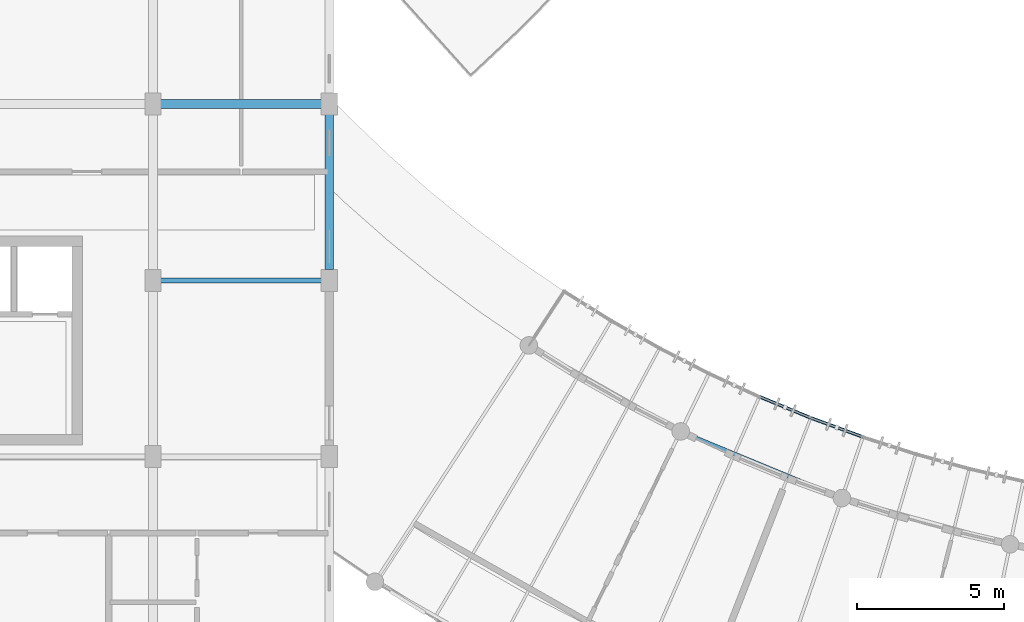
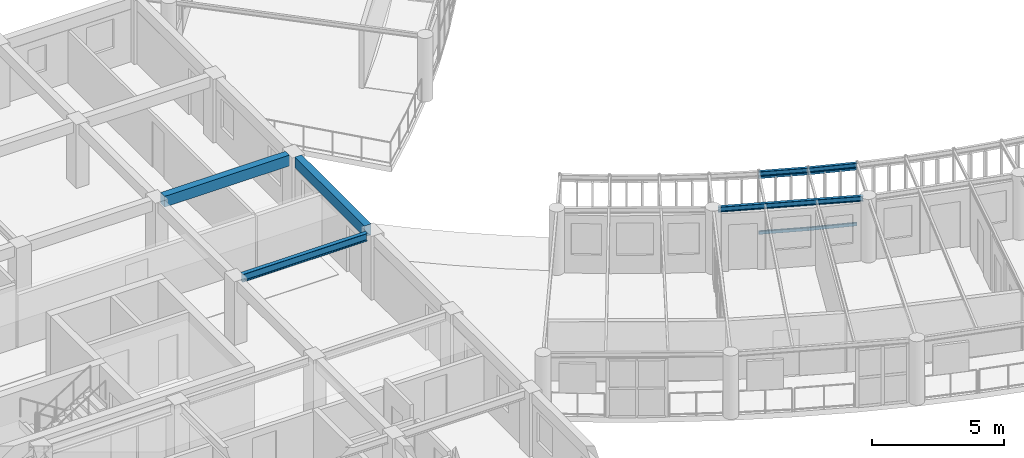
# One storey, part 8 of 100: 6 beams, 4 members.
"""IFC4 building model written with IfcOpenShell, lengths in metres."""

import ifcopenshell
import ifcopenshell.guid

model = None  # the IFC model being written
_history = None  # IfcOwnerHistory: only IFC2X3 demands one
_inside = {}  # id of a spatial element -> (the spatial element, [elements in it])
_under = {}  # id of a project, library or spatial element -> (it, [spatial elements below it])
_declared = {}  # id of a project -> (the project, [libraries it declares])
_typed = {}  # id of a type object -> (the type object, [elements of that type])
_made_of = {}  # id of a material, layer set ... -> (it, [elements and type objects made of it])


def new_model(schema):
    """Start an empty IFC model of exactly this schema.

    Asked for "IFC4X3", IfcOpenShell would pick the latest addendum, in which some entities
    have other attributes; the version numbers below select the first issue.
    IFC2X3 requires an IfcOwnerHistory on every rooted entity: one is made here for all.
    """
    global model, _history
    if schema == "IFC4X3":
        model = ifcopenshell.file(schema_version=(4, 3, 0, 0))
    else:
        model = ifcopenshell.file(schema=schema)
    _inside.clear()
    _under.clear()
    _declared.clear()
    _typed.clear()
    _made_of.clear()
    _history = None
    if model.schema == "IFC2X3":
        org = make("IfcOrganization", Name="unknown")
        user = make(
            "IfcPersonAndOrganization",
            ThePerson=make("IfcPerson", FamilyName="unknown"),
            TheOrganization=org,
        )
        app = make(
            "IfcApplication",
            ApplicationDeveloper=org,
            Version="unknown",
            ApplicationFullName="unknown",
            ApplicationIdentifier="unknown",
        )
        _history = make(
            "IfcOwnerHistory",
            OwningUser=user,
            OwningApplication=app,
            ChangeAction="ADDED",
            CreationDate=0,
        )
    return model


def make(cls, **values):
    """One entity of the class cls with the attributes given. An attribute that is None is left unset."""
    return model.create_entity(
        cls, **{name: value for name, value in values.items() if value is not None}
    )


def rooted(cls, **values):
    """An entity with a GlobalId (a new one), such as an element, a storey or a relation."""
    return make(cls, GlobalId=ifcopenshell.guid.new(), OwnerHistory=_history, **values)


def si_unit(unit_type, name, prefix=None):
    """IfcSIUnit, for example si_unit("LENGTHUNIT", "METRE", prefix="MILLI")."""
    return make("IfcSIUnit", UnitType=unit_type, Prefix=prefix, Name=name)


def assignment(units):
    """IfcUnitAssignment: the units of a project."""
    return None if units is None else make("IfcUnitAssignment", Units=units)


def point(xyz):
    """IfcCartesianPoint."""
    return None if xyz is None else make("IfcCartesianPoint", Coordinates=xyz)


def direction(xyz):
    """IfcDirection."""
    return None if xyz is None else make("IfcDirection", DirectionRatios=xyz)


def frame(location, z_axis=None, x_axis=None):
    """IfcAxis2Placement3D, a coordinate frame: its origin and axes. An axis left out is left unset."""
    return make(
        "IfcAxis2Placement3D",
        Location=point(location),
        Axis=direction(z_axis),
        RefDirection=direction(x_axis),
    )


def frame_2d(location, x_axis=None):
    """IfcAxis2Placement2D, a coordinate frame in the plane: its origin and x axis."""
    return make(
        "IfcAxis2Placement2D", Location=point(location), RefDirection=direction(x_axis)
    )


def origin():
    """The frame at (0, 0, 0) with its axes left unset."""
    return frame((0.0, 0.0, 0.0))


def origin_2d():
    """The frame at (0, 0) in the plane with its x axis left unset."""
    return frame_2d((0.0, 0.0))


def place(relative_to, where):
    """IfcLocalPlacement: puts the frame where relative to a parent placement (None: the world)."""
    return make(
        "IfcLocalPlacement", PlacementRelTo=relative_to, RelativePlacement=where
    )


def context(
    kind, dimensions, precision=None, world=None, true_north=None, identifier=None
):
    """IfcGeometricRepresentationContext, for example the 3D "Model" context."""
    return make(
        "IfcGeometricRepresentationContext",
        ContextIdentifier=identifier,
        ContextType=kind,
        CoordinateSpaceDimension=dimensions,
        Precision=precision,
        WorldCoordinateSystem=world,
        TrueNorth=true_north,
    )


def subcontext(parent, identifier, kind, view, scale=None):
    """IfcGeometricRepresentationSubContext, for example "Body" below "Model"."""
    return make(
        "IfcGeometricRepresentationSubContext",
        ContextIdentifier=identifier,
        ContextType=kind,
        ParentContext=parent,
        TargetScale=scale,
        TargetView=view,
    )


def project(units=None, contexts=None):
    """IfcProject with its units and contexts."""
    return rooted(
        "IfcProject",
        Name="project",
        RepresentationContexts=contexts,
        UnitsInContext=assignment(units),
    )


def spatial(cls, under=None, at=None, **own):
    """A site, building, storey or space (cls), placed at a placement, below another one or the project."""
    s = rooted(cls, ObjectPlacement=at, **own)
    if under is not None:
        _under.setdefault(under.id(), (under, []))[1].append(s)
    return s


def profile(cls, at=None, kind="AREA", **sizes):
    """A parametric profile (cls). Its sizes go by their IFC names, for example OverallWidth=200.0."""
    return make(cls, ProfileType=kind, Position=at, **sizes)


def rectangle(**sizes):
    """IfcRectangleProfileDef."""
    return profile("IfcRectangleProfileDef", **sizes)


def hollow_rectangle(**sizes):
    """IfcRectangleHollowProfileDef."""
    return profile("IfcRectangleHollowProfileDef", **sizes)


def i_section(**sizes):
    """IfcIShapeProfileDef."""
    return profile("IfcIShapeProfileDef", **sizes)


def extrude(swept, where, along, depth):
    """IfcExtrudedAreaSolid: the profile swept, set in the frame where, extruded along a direction by depth."""
    return make(
        "IfcExtrudedAreaSolid",
        SweptArea=swept,
        Position=where,
        ExtrudedDirection=direction(along),
        Depth=depth,
    )


def shape(context_of_items, identifier, shape_type, items):
    """IfcShapeRepresentation: the items that make up one representation, for example the "Body"."""
    return make(
        "IfcShapeRepresentation",
        ContextOfItems=context_of_items,
        RepresentationIdentifier=identifier,
        RepresentationType=shape_type,
        Items=items,
    )


def material(Name=None, Category=None):
    """IfcMaterial."""
    return make("IfcMaterial", Name=Name, Category=Category)


def material_profile(
    of_material, cross_section, Name=None, Category=None, Priority=None
):
    """IfcMaterialProfile: a cross section and its material."""
    return make(
        "IfcMaterialProfile",
        Name=Name,
        Material=of_material,
        Profile=cross_section,
        Priority=Priority,
        Category=Category,
    )


def profile_set(profiles, Name=None, composite=None):
    """IfcMaterialProfileSet."""
    return make(
        "IfcMaterialProfileSet",
        Name=Name,
        MaterialProfiles=profiles,
        CompositeProfile=composite,
    )


def made_of(thing, what):
    """Note that an element or type object is made of a material, layer set ...; save() writes the relation."""
    if what is not None:
        _made_of.setdefault(what.id(), (what, []))[1].append(thing)
    return thing


def type_object(cls, material=None, **own):
    """A type object (cls), such as IfcWallType, which elements share."""
    return made_of(rooted(cls, **own), material)


def element(
    cls,
    number,
    at=None,
    inside=None,
    cuts=None,
    type_object=None,
    material=None,
    context=None,
    identifier="Body",
    shape_type=None,
    held_by="IfcProductDefinitionShape",
    body=None,
    shapes=None,
    **own,
):
    """One element of the class cls, such as IfcWall. Its Tag is "e" and its number.

    at: its placement. inside: the storey or other place that contains it. cuts: it is an
    opening in that element (IfcRelVoidsElement). A single representation is given by context,
    identifier, shape_type and body (its items); several are given by shapes. held_by: the class
    of the entity that holds the representations. save() writes the other relations.
    """
    e = rooted(cls, Tag="e%d" % number, ObjectPlacement=at, **own)
    if body is not None:
        shapes = [shape(context, identifier, shape_type, body)]
    if shapes is not None:
        e.Representation = make(held_by, Representations=shapes)
    if inside is not None:
        _inside.setdefault(inside.id(), (inside, []))[1].append(e)
    if cuts is not None:
        rooted(
            "IfcRelVoidsElement", RelatingBuildingElement=cuts, RelatedOpeningElement=e
        )
    if type_object is not None:
        _typed.setdefault(type_object.id(), (type_object, []))[1].append(e)
    return made_of(e, material)


def aggregate(whole, parts):
    """IfcRelAggregates: a whole, such as a stair, and the parts it consists of."""
    return rooted("IfcRelAggregates", RelatingObject=whole, RelatedObjects=parts)


def save(model, path):
    """Write the relations noted so far, then the file.

    IfcRelAggregates (storeys below a building ...), IfcRelContainedInSpatialStructure (elements
    in a storey), IfcRelDefinesByType, IfcRelAssociatesMaterial and IfcRelDeclares: one each for
    every whole, place, type object, material and project.
    """
    for whole, parts in _under.values():
        aggregate(whole, parts)
    for where, things in _inside.values():
        rooted(
            "IfcRelContainedInSpatialStructure",
            RelatedElements=things,
            RelatingStructure=where,
        )
    for kind, things in _typed.values():
        rooted("IfcRelDefinesByType", RelatedObjects=things, RelatingType=kind)
    for what, things in _made_of.values():
        rooted("IfcRelAssociatesMaterial", RelatedObjects=things, RelatingMaterial=what)
    for by, libraries in _declared.values():
        rooted("IfcRelDeclares", RelatingContext=by, RelatedDefinitions=libraries)
    model.write(path)


model = new_model("IFC4")

# Units and contexts
model_context = context("Model", 3, precision=1e-05, world=origin(), true_north=direction((0.0, 1.0)))
body_context = subcontext(model_context, "Body", "Model", "MODEL_VIEW")
ifc_project = project(units=[si_unit("LENGTHUNIT", "METRE"), si_unit("AREAUNIT", "SQUARE_METRE"), si_unit("VOLUMEUNIT", "CUBIC_METRE"), si_unit("PLANEANGLEUNIT", "RADIAN"), si_unit("MASSUNIT", "GRAM", prefix="KILO"), si_unit("POWERUNIT", "WATT"), si_unit("THERMODYNAMICTEMPERATUREUNIT", "KELVIN")], contexts=[model_context])

# Site, building, storey
site_placement = place(None, origin())
site = spatial("IfcSite", under=ifc_project, at=site_placement, CompositionType="ELEMENT")
building_placement = place(site_placement, origin())
building = spatial("IfcBuilding", under=site, at=building_placement, Name="Ruvembo Vaulted Housing Court", CompositionType="ELEMENT")
storey_placement = place(building_placement, frame((0.0, 0.0, 14.10009765625)))
storey = spatial("IfcBuildingStorey", under=building, at=storey_placement, Name="L04", CompositionType="ELEMENT", Elevation=14.10009765625)

# Beams
ifc_material_1 = material(Name="Steel S355J2", Category="steel")
ifc_material_profile_1 = material_profile(ifc_material_1, i_section(OverallWidth=0.110107421875, OverallDepth=0.219970703125, WebThickness=0.005859375, FlangeThickness=0.00927734375, FilletRadius=0.011962890625, at=origin_2d()), Name="IPE 220")
ifc_profile_set_1 = profile_set([ifc_material_profile_1], Name="Steel S355J2")
beam_type_1 = type_object("IfcBeamType", Name="BM-ST-IPE220", PredefinedType="SPANDREL", material=ifc_profile_set_1)
beam_1_placement = place(storey_placement, frame((50.637451171875, 20.042236328125, 2.829833984375), z_axis=(0.924155321549, -0.38201693896, 0.0), x_axis=(0.38201693896, 0.924155321549, 0.0)))
element("IfcBeam", 1, at=beam_1_placement, inside=storey, type_object=beam_type_1, Name="Scoop SC2 L04 Balcony Edge Spandrel 4", PredefinedType="SPANDREL", context=body_context, shape_type="SweptSolid", body=[
    extrude(i_section(OverallWidth=0.110107421875, OverallDepth=0.219970703125, WebThickness=0.005859375, FlangeThickness=0.00927734375, FilletRadius=0.011962890625, at=origin_2d()), origin(), (0.0, 0.0, 1.0), 1.88916015625),
])
beam_2_placement = place(storey_placement, frame((52.38330078125, 19.320556640625, 2.829833984375), z_axis=(0.939165556371, -0.343464783824, 0.0), x_axis=(0.343464783824, 0.939165556371, 0.0)))
element("IfcBeam", 2, at=beam_2_placement, inside=storey, type_object=beam_type_1, Name="Scoop SC2 L04 Balcony Edge Spandrel 5", PredefinedType="SPANDREL", context=body_context, shape_type="SweptSolid", body=[
    extrude(i_section(OverallWidth=0.110107421875, OverallDepth=0.219970703125, WebThickness=0.005859375, FlangeThickness=0.00927734375, FilletRadius=0.011962890625, at=origin_2d()), origin(), (0.0, 0.0, 1.0), 1.889404296875),
])
ifc_material_profile_2 = material_profile(ifc_material_1, i_section(OverallWidth=0.1201171875, OverallDepth=0.239990234375, WebThickness=0.006103515625, FlangeThickness=0.009765625, FilletRadius=0.014892578125, at=origin_2d()), Name="IPE 240")
ifc_profile_set_2 = profile_set([ifc_material_profile_2], Name="Steel S355J2")
beam_type_2 = type_object("IfcBeamType", Name="BM-ST-IPE240", PredefinedType="BEAM", material=ifc_profile_set_2)
beam_3_placement = place(storey_placement, frame((48.1337890625, 18.785400390625, 2.822021484375), z_axis=(0.924189626462, -0.381933939759, 0.0), x_axis=(0.381933939759, 0.924189626462, 0.0)))
element("IfcBeam", 3, at=beam_3_placement, inside=storey, type_object=beam_type_2, Name="Scoop SC2 L04 Chord Girder F3", PredefinedType="BEAM", context=body_context, shape_type="SweptSolid", body=[
    extrude(i_section(OverallWidth=0.1201171875, OverallDepth=0.239990234375, WebThickness=0.006103515625, FlangeThickness=0.009765625, FilletRadius=0.014892578125, at=origin_2d()), origin(), (0.0, 0.0, 1.0), 5.556640625),
])
ifc_material_profile_3 = material_profile(ifc_material_1, i_section(OverallWidth=0.169921875, OverallDepth=0.360107421875, WebThickness=0.008056640625, FlangeThickness=0.0126953125, FilletRadius=0.01806640625, at=origin_2d()), Name="IPE 360")
ifc_profile_set_3 = profile_set([ifc_material_profile_3], Name="Steel S355J2")
beam_type_3 = type_object("IfcBeamType", Name="BM-ST-IPE360", PredefinedType="BEAM", material=ifc_profile_set_3)
beam_4_placement = place(storey_placement, frame((30.260009765625, 24.0, 2.745849609375), z_axis=(1.0, 0.0, 0.0), x_axis=(0.0, 1.0, 0.0)))
element("IfcBeam", 4, at=beam_4_placement, inside=storey, type_object=beam_type_3, Name="L04 Grid Beam X #2034", PredefinedType="BEAM", context=body_context, shape_type="SweptSolid", body=[
    extrude(i_section(OverallWidth=0.169921875, OverallDepth=0.360107421875, WebThickness=0.008056640625, FlangeThickness=0.0126953125, FilletRadius=0.01806640625, at=origin_2d()), origin(), (0.0, 0.0, 1.0), 5.47998046875),
])

# Members
ifc_material_profile_4 = material_profile(ifc_material_1, hollow_rectangle(XDim=0.06005859375, YDim=0.1201171875, WallThickness=0.0048828125, InnerFilletRadius=0.0048828125, OuterFilletRadius=0.010009765625, at=origin_2d()), Name="RHS 120x60x5")
ifc_profile_set_4 = profile_set([ifc_material_profile_4], Name="Steel S355J2")
member_type_1 = type_object("IfcMemberType", Name="MEM-CAR-RHS120", PredefinedType="CHORD", material=ifc_profile_set_4)
member_1_placement = place(storey_placement, frame((50.637451171875, 20.042236328125, 2.662841796875), z_axis=(0.924155321549, -0.38201693896, 0.0), x_axis=(0.38201693896, 0.924155321549, 0.0)))
element("IfcMember", 5, at=member_1_placement, inside=storey, type_object=member_type_1, Name="Scoop SC2 L04 Upper Louvre Carrier Rail 4", PredefinedType="CHORD", context=body_context, shape_type="SweptSolid", body=[
    extrude(hollow_rectangle(XDim=0.06005859375, YDim=0.1201171875, WallThickness=0.0048828125, InnerFilletRadius=0.0048828125, OuterFilletRadius=0.010009765625, at=origin_2d()), origin(), (0.0, 0.0, 1.0), 1.88916015625),
])
member_2_placement = place(storey_placement, frame((52.38330078125, 19.320556640625, 2.662841796875), z_axis=(0.939165556371, -0.343464783824, 0.0), x_axis=(0.343464783824, 0.939165556371, 0.0)))
element("IfcMember", 6, at=member_2_placement, inside=storey, type_object=member_type_1, Name="Scoop SC2 L04 Upper Louvre Carrier Rail 5", PredefinedType="CHORD", context=body_context, shape_type="SweptSolid", body=[
    extrude(hollow_rectangle(XDim=0.06005859375, YDim=0.1201171875, WallThickness=0.0048828125, InnerFilletRadius=0.0048828125, OuterFilletRadius=0.010009765625, at=origin_2d()), origin(), (0.0, 0.0, 1.0), 1.889404296875),
])
ifc_material_profile_5 = material_profile(ifc_material_1, hollow_rectangle(XDim=0.080078125, YDim=0.14990234375, WallThickness=0.00634765625, InnerFilletRadius=0.00634765625, OuterFilletRadius=0.0126953125, at=origin_2d()), Name="RHS 150x80x6.3")
ifc_profile_set_5 = profile_set([ifc_material_profile_5], Name="Steel S355J2")
member_type_2 = type_object("IfcMemberType", Name="MEM-CAR-RHS150", PredefinedType="CHORD", material=ifc_profile_set_5)
member_3_placement = place(storey_placement, frame((50.637451171875, 20.042236328125, 0.094970703125), z_axis=(0.924155321549, -0.38201693896, 0.0), x_axis=(0.38201693896, 0.924155321549, 0.0)))
element("IfcMember", 7, at=member_3_placement, inside=storey, type_object=member_type_2, Name="Scoop SC2 L04 Lower Louvre Carrier Rail 4", PredefinedType="CHORD", context=body_context, shape_type="SweptSolid", body=[
    extrude(hollow_rectangle(XDim=0.080078125, YDim=0.14990234375, WallThickness=0.00634765625, InnerFilletRadius=0.00634765625, OuterFilletRadius=0.0126953125, at=origin_2d()), origin(), (0.0, 0.0, 1.0), 1.88916015625),
])
member_4_placement = place(storey_placement, frame((52.38330078125, 19.320556640625, 0.094970703125), z_axis=(0.939165556371, -0.343464783824, 0.0), x_axis=(0.343464783824, 0.939165556371, 0.0)))
element("IfcMember", 8, at=member_4_placement, inside=storey, type_object=member_type_2, Name="Scoop SC2 L04 Lower Louvre Carrier Rail 5", PredefinedType="CHORD", context=body_context, shape_type="SweptSolid", body=[
    extrude(hollow_rectangle(XDim=0.080078125, YDim=0.14990234375, WallThickness=0.00634765625, InnerFilletRadius=0.00634765625, OuterFilletRadius=0.0126953125, at=origin_2d()), origin(), (0.0, 0.0, 1.0), 1.889404296875),
])

# Beams
ifc_material_2 = material(Name="Concrete C35/45", Category="concrete")
ifc_material_profile_6 = material_profile(ifc_material_2, rectangle(XDim=0.300048828125, YDim=0.5, at=origin_2d()), Name="RC 300x500")
ifc_profile_set_6 = profile_set([ifc_material_profile_6], Name="Concrete C35/45")
beam_type_4 = type_object("IfcBeamType", Name="SP-RC-300x500", PredefinedType="SPANDREL", material=ifc_profile_set_6)
beam_5_placement = place(storey_placement, frame((30.260009765625, 30.0, 2.699951171875), z_axis=(1.0, 0.0, 0.0), x_axis=(0.0, 1.0, 0.0)))
element("IfcBeam", 9, at=beam_5_placement, inside=storey, type_object=beam_type_4, Name="L04 Grid Beam X #2046", PredefinedType="SPANDREL", context=body_context, shape_type="SweptSolid", body=[
    extrude(rectangle(XDim=0.300048828125, YDim=0.5, at=origin_2d()), origin(), (0.0, 0.0, 1.0), 5.47998046875),
])
beam_6_placement = place(storey_placement, frame((36.0, 24.360107421875, 2.699951171875), z_axis=(0.0, 1.0, 0.0), x_axis=(-1.0, 0.0, 0.0)))
element("IfcBeam", 10, at=beam_6_placement, inside=storey, type_object=beam_type_4, Name="L04 Grid Beam Y #2177", PredefinedType="SPANDREL", context=body_context, shape_type="SweptSolid", body=[
    extrude(rectangle(XDim=0.300048828125, YDim=0.5, at=origin_2d()), origin(), (0.0, 0.0, 1.0), 5.27978515625),
])

save(model, "model.ifc")
